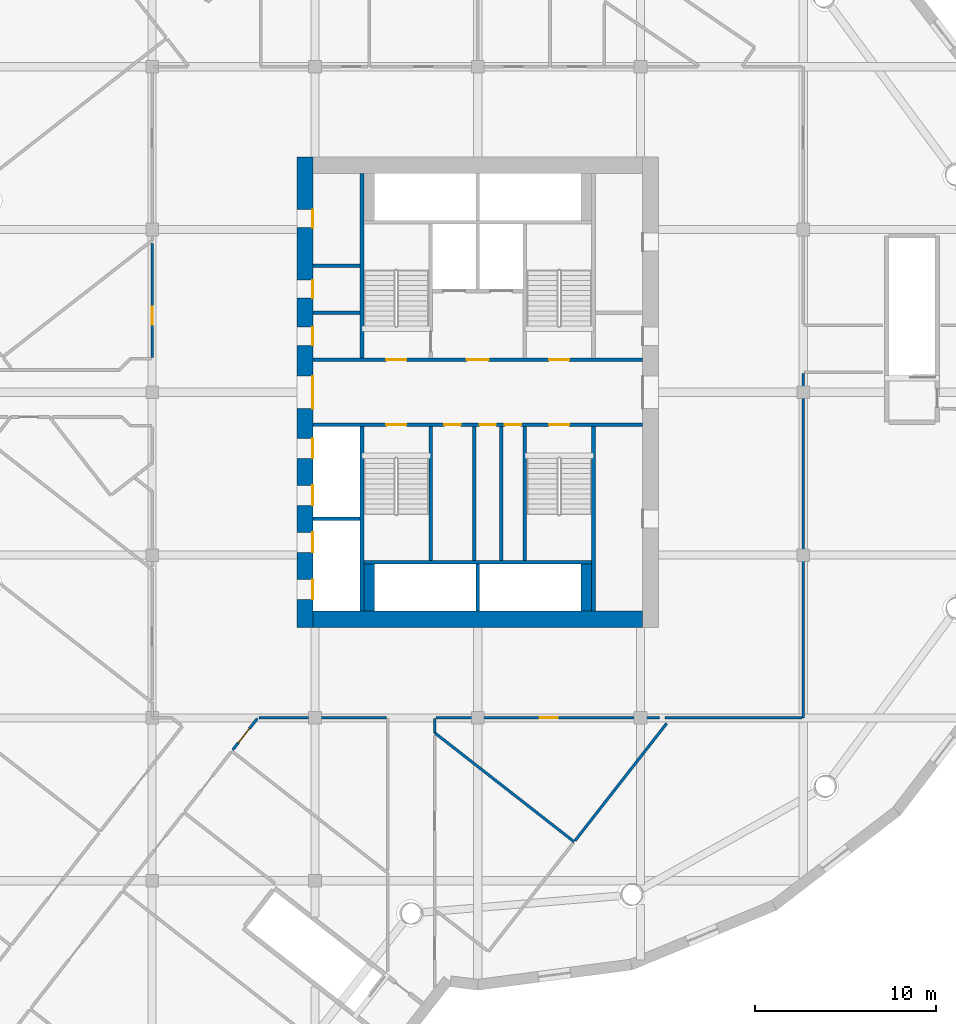
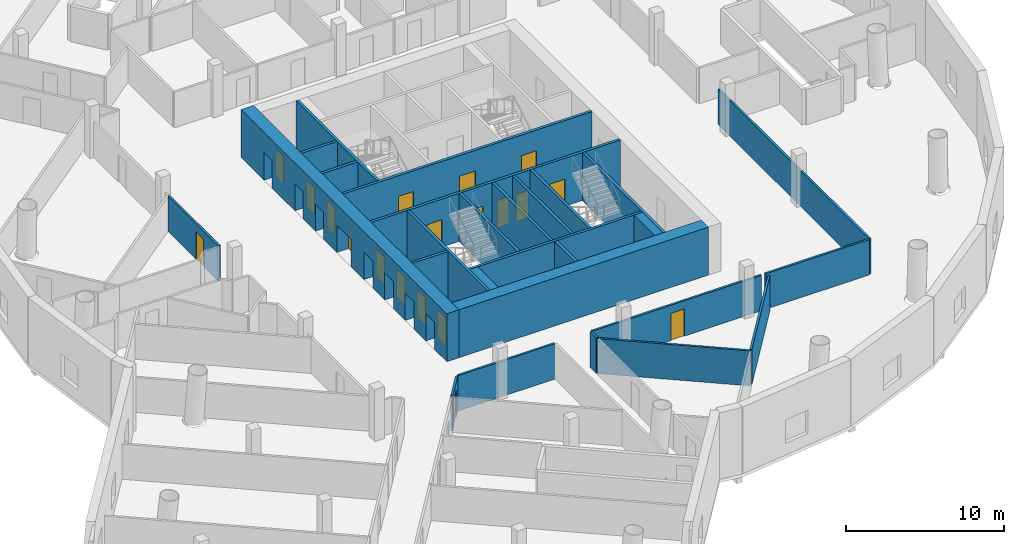
# One storey, part 7 of 15: 27 walls, 19 doors, 19 openings.
"""IFC4 building model written with IfcOpenShell, lengths in metres."""

import ifcopenshell
import ifcopenshell.guid

model = None  # the IFC model being written
_history = None  # IfcOwnerHistory: only IFC2X3 demands one
_inside = {}  # id of a spatial element -> (the spatial element, [elements in it])
_under = {}  # id of a project, library or spatial element -> (it, [spatial elements below it])
_declared = {}  # id of a project -> (the project, [libraries it declares])
_typed = {}  # id of a type object -> (the type object, [elements of that type])
_made_of = {}  # id of a material, layer set ... -> (it, [elements and type objects made of it])


def new_model(schema):
    """Start an empty IFC model of exactly this schema.

    Asked for "IFC4X3", IfcOpenShell would pick the latest addendum, in which some entities
    have other attributes; the version numbers below select the first issue.
    IFC2X3 requires an IfcOwnerHistory on every rooted entity: one is made here for all.
    """
    global model, _history
    if schema == "IFC4X3":
        model = ifcopenshell.file(schema_version=(4, 3, 0, 0))
    else:
        model = ifcopenshell.file(schema=schema)
    _inside.clear()
    _under.clear()
    _declared.clear()
    _typed.clear()
    _made_of.clear()
    _history = None
    if model.schema == "IFC2X3":
        org = make("IfcOrganization", Name="unknown")
        user = make(
            "IfcPersonAndOrganization",
            ThePerson=make("IfcPerson", FamilyName="unknown"),
            TheOrganization=org,
        )
        app = make(
            "IfcApplication",
            ApplicationDeveloper=org,
            Version="unknown",
            ApplicationFullName="unknown",
            ApplicationIdentifier="unknown",
        )
        _history = make(
            "IfcOwnerHistory",
            OwningUser=user,
            OwningApplication=app,
            ChangeAction="ADDED",
            CreationDate=0,
        )
    return model


def make(cls, **values):
    """One entity of the class cls with the attributes given. An attribute that is None is left unset."""
    return model.create_entity(
        cls, **{name: value for name, value in values.items() if value is not None}
    )


def rooted(cls, **values):
    """An entity with a GlobalId (a new one), such as an element, a storey or a relation."""
    return make(cls, GlobalId=ifcopenshell.guid.new(), OwnerHistory=_history, **values)


def si_unit(unit_type, name, prefix=None):
    """IfcSIUnit, for example si_unit("LENGTHUNIT", "METRE", prefix="MILLI")."""
    return make("IfcSIUnit", UnitType=unit_type, Prefix=prefix, Name=name)


def assignment(units):
    """IfcUnitAssignment: the units of a project."""
    return None if units is None else make("IfcUnitAssignment", Units=units)


def point(xyz):
    """IfcCartesianPoint."""
    return None if xyz is None else make("IfcCartesianPoint", Coordinates=xyz)


def direction(xyz):
    """IfcDirection."""
    return None if xyz is None else make("IfcDirection", DirectionRatios=xyz)


def frame(location, z_axis=None, x_axis=None):
    """IfcAxis2Placement3D, a coordinate frame: its origin and axes. An axis left out is left unset."""
    return make(
        "IfcAxis2Placement3D",
        Location=point(location),
        Axis=direction(z_axis),
        RefDirection=direction(x_axis),
    )


def frame_2d(location, x_axis=None):
    """IfcAxis2Placement2D, a coordinate frame in the plane: its origin and x axis."""
    return make(
        "IfcAxis2Placement2D", Location=point(location), RefDirection=direction(x_axis)
    )


def origin():
    """The frame at (0, 0, 0) with its axes left unset."""
    return frame((0.0, 0.0, 0.0))


def place(relative_to, where):
    """IfcLocalPlacement: puts the frame where relative to a parent placement (None: the world)."""
    return make(
        "IfcLocalPlacement", PlacementRelTo=relative_to, RelativePlacement=where
    )


def context(
    kind, dimensions, precision=None, world=None, true_north=None, identifier=None
):
    """IfcGeometricRepresentationContext, for example the 3D "Model" context."""
    return make(
        "IfcGeometricRepresentationContext",
        ContextIdentifier=identifier,
        ContextType=kind,
        CoordinateSpaceDimension=dimensions,
        Precision=precision,
        WorldCoordinateSystem=world,
        TrueNorth=true_north,
    )


def subcontext(parent, identifier, kind, view, scale=None):
    """IfcGeometricRepresentationSubContext, for example "Body" below "Model"."""
    return make(
        "IfcGeometricRepresentationSubContext",
        ContextIdentifier=identifier,
        ContextType=kind,
        ParentContext=parent,
        TargetScale=scale,
        TargetView=view,
    )


def project(units=None, contexts=None):
    """IfcProject with its units and contexts."""
    return rooted(
        "IfcProject",
        Name="project",
        RepresentationContexts=contexts,
        UnitsInContext=assignment(units),
    )


def spatial(cls, under=None, at=None, **own):
    """A site, building, storey or space (cls), placed at a placement, below another one or the project."""
    s = rooted(cls, ObjectPlacement=at, **own)
    if under is not None:
        _under.setdefault(under.id(), (under, []))[1].append(s)
    return s


def profile(cls, at=None, kind="AREA", **sizes):
    """A parametric profile (cls). Its sizes go by their IFC names, for example OverallWidth=200.0."""
    return make(cls, ProfileType=kind, Position=at, **sizes)


def rectangle(**sizes):
    """IfcRectangleProfileDef."""
    return profile("IfcRectangleProfileDef", **sizes)


def extrude(swept, where, along, depth):
    """IfcExtrudedAreaSolid: the profile swept, set in the frame where, extruded along a direction by depth."""
    return make(
        "IfcExtrudedAreaSolid",
        SweptArea=swept,
        Position=where,
        ExtrudedDirection=direction(along),
        Depth=depth,
    )


def shape(context_of_items, identifier, shape_type, items):
    """IfcShapeRepresentation: the items that make up one representation, for example the "Body"."""
    return make(
        "IfcShapeRepresentation",
        ContextOfItems=context_of_items,
        RepresentationIdentifier=identifier,
        RepresentationType=shape_type,
        Items=items,
    )


def material(Name=None, Category=None):
    """IfcMaterial."""
    return make("IfcMaterial", Name=Name, Category=Category)


def layer(
    of_material, thickness, ventilated=None, Name=None, Category=None, Priority=None
):
    """IfcMaterialLayer: one layer of a wall or slab, of a material (None: an air gap)."""
    return make(
        "IfcMaterialLayer",
        Material=of_material,
        LayerThickness=thickness,
        IsVentilated=ventilated,
        Name=Name,
        Category=Category,
        Priority=Priority,
    )


def layer_set(layers, Name=None):
    """IfcMaterialLayerSet."""
    return make("IfcMaterialLayerSet", MaterialLayers=layers, LayerSetName=Name)


def made_of(thing, what):
    """Note that an element or type object is made of a material, layer set ...; save() writes the relation."""
    if what is not None:
        _made_of.setdefault(what.id(), (what, []))[1].append(thing)
    return thing


def type_object(cls, material=None, **own):
    """A type object (cls), such as IfcWallType, which elements share."""
    return made_of(rooted(cls, **own), material)


def element(
    cls,
    number,
    at=None,
    inside=None,
    cuts=None,
    type_object=None,
    material=None,
    context=None,
    identifier="Body",
    shape_type=None,
    held_by="IfcProductDefinitionShape",
    body=None,
    shapes=None,
    **own,
):
    """One element of the class cls, such as IfcWall. Its Tag is "e" and its number.

    at: its placement. inside: the storey or other place that contains it. cuts: it is an
    opening in that element (IfcRelVoidsElement). A single representation is given by context,
    identifier, shape_type and body (its items); several are given by shapes. held_by: the class
    of the entity that holds the representations. save() writes the other relations.
    """
    e = rooted(cls, Tag="e%d" % number, ObjectPlacement=at, **own)
    if body is not None:
        shapes = [shape(context, identifier, shape_type, body)]
    if shapes is not None:
        e.Representation = make(held_by, Representations=shapes)
    if inside is not None:
        _inside.setdefault(inside.id(), (inside, []))[1].append(e)
    if cuts is not None:
        rooted(
            "IfcRelVoidsElement", RelatingBuildingElement=cuts, RelatedOpeningElement=e
        )
    if type_object is not None:
        _typed.setdefault(type_object.id(), (type_object, []))[1].append(e)
    return made_of(e, material)


def fill(opening, filler):
    """IfcRelFillsElement: the door or window that sits in an opening."""
    return rooted(
        "IfcRelFillsElement",
        RelatingOpeningElement=opening,
        RelatedBuildingElement=filler,
    )


def aggregate(whole, parts):
    """IfcRelAggregates: a whole, such as a stair, and the parts it consists of."""
    return rooted("IfcRelAggregates", RelatingObject=whole, RelatedObjects=parts)


def save(model, path):
    """Write the relations noted so far, then the file.

    IfcRelAggregates (storeys below a building ...), IfcRelContainedInSpatialStructure (elements
    in a storey), IfcRelDefinesByType, IfcRelAssociatesMaterial and IfcRelDeclares: one each for
    every whole, place, type object, material and project.
    """
    for whole, parts in _under.values():
        aggregate(whole, parts)
    for where, things in _inside.values():
        rooted(
            "IfcRelContainedInSpatialStructure",
            RelatedElements=things,
            RelatingStructure=where,
        )
    for kind, things in _typed.values():
        rooted("IfcRelDefinesByType", RelatedObjects=things, RelatingType=kind)
    for what, things in _made_of.values():
        rooted("IfcRelAssociatesMaterial", RelatedObjects=things, RelatingMaterial=what)
    for by, libraries in _declared.values():
        rooted("IfcRelDeclares", RelatingContext=by, RelatedDefinitions=libraries)
    model.write(path)


model = new_model("IFC4")

# Units and contexts
model_context = context("Model", 3, precision=1e-05, world=origin(), true_north=direction((0.0, 1.0)))
body_context = subcontext(model_context, "Body", "Model", "MODEL_VIEW")
ifc_project = project(units=[si_unit("LENGTHUNIT", "METRE"), si_unit("AREAUNIT", "SQUARE_METRE"), si_unit("VOLUMEUNIT", "CUBIC_METRE"), si_unit("PLANEANGLEUNIT", "RADIAN"), si_unit("MASSUNIT", "GRAM", prefix="KILO")], contexts=[model_context])

# Site, building, storey
site_placement = place(None, origin())
site = spatial("IfcSite", under=ifc_project, at=site_placement, CompositionType="ELEMENT")
building_placement = place(site_placement, origin())
building = spatial("IfcBuilding", under=site, at=building_placement, Name="Tarsis Ring Headquarters", CompositionType="ELEMENT")
storey_placement = place(building_placement, frame((0.0, 0.0, 30.0)))
storey = spatial("IfcBuildingStorey", under=building, at=storey_placement, Name="L05", CompositionType="ELEMENT", Elevation=30.0)

# Walls
ifc_material_1 = material(Name="Blockwork", Category="masonry")
ifc_layer_1 = layer(ifc_material_1, 0.199951171875)
ifc_layer_set_1 = layer_set([ifc_layer_1], Name="Core blockwork wall 200")
wall_type_1 = type_object("IfcWallType", Name="Core blockwork wall 200", PredefinedType="PARTITIONING", material=ifc_layer_set_1)
for number, where, z_axis, x_axis, name in (
    (1, (-9.10009765625, 4.39990234375, 0.0), (0.0, 0.0, 1.0), (1.0, 0.0, 0.0), "Core partition WD5"),
    (2, (-9.10009765625, 7.0, 0.0), (0.0, 0.0, 1.0), (1.0, 0.0, 0.0), "Core partition WD6"),
):
    element("IfcWall", number, at=place(storey_placement, frame(where, z_axis=z_axis, x_axis=x_axis)), inside=storey, type_object=wall_type_1, Name=name, PredefinedType="PARTITIONING", context=body_context, shape_type="SweptSolid", body=[
        extrude(rectangle(XDim=2.60009765625, YDim=0.199951171875, at=frame_2d((1.300048828125, 0.0))), origin(), (0.0, 0.0, 1.0), 3.699951171875),
    ])
for number, where, z_axis, x_axis, name in (
    (3, (-0.199951171875, -9.300048828125, 0.0), (0.0, 0.0, 1.0), (0.0, 1.0, 0.0), "Core partition SV1"),
    (4, (1.300048828125, -9.300048828125, 0.0), (0.0, 0.0, 1.0), (0.0, 1.0, 0.0), "Core partition SV2"),
):
    element("IfcWall", number, at=place(storey_placement, frame(where, z_axis=z_axis, x_axis=x_axis)), inside=storey, type_object=wall_type_1, Name=name, PredefinedType="PARTITIONING", context=body_context, shape_type="SweptSolid", body=[
        extrude(rectangle(XDim=7.400146484375, YDim=0.199951171875, at=frame_2d((3.7001953125, 0.0))), origin(), (0.0, 0.0, 1.0), 3.699951171875),
    ])

# Wall, openings, doors
ifc_material_2 = material(Name="Concrete C60/75", Category="concrete")
ifc_layer_2 = layer(ifc_material_2, 0.89990234375)
ifc_layer_set_2 = layer_set([ifc_layer_2], Name="Core wall 900 C60/75")
wall_type_2 = type_object("IfcWallType", Name="Core wall 900 C60/75", PredefinedType="SHEAR", material=ifc_layer_set_2)
wall_1_placement = place(storey_placement, frame((-9.550048828125, -13.0, 0.0), z_axis=(0.0, 0.0, 1.0), x_axis=(0.0, 1.0, 0.0)))
wall_1 = element("IfcWall", 5, at=wall_1_placement, inside=storey, type_object=wall_type_2, Name="Core wall OW", PredefinedType="SHEAR", context=body_context, shape_type="SweptSolid", body=[
    extrude(rectangle(XDim=26.0, YDim=0.89990234375, at=frame_2d((13.0, 0.0))), origin(), (0.0, 0.0, 1.0), 3.699951171875),
])
opening_1_placement = place(wall_1_placement, frame((1.550048828125, 0.0, 0.0)))
opening_1 = element("IfcOpeningElement", 6, at=opening_1_placement, cuts=wall_1, Name="Opening LD-LR1", PredefinedType="OPENING", context=body_context, shape_type="SweptSolid", body=[
    extrude(rectangle(XDim=1.10009765625, YDim=2.10009765625, at=frame_2d((0.550048828125, 1.050048828125))), frame((0.0, 0.4599609375, 0.0), z_axis=(0.0, -1.0, 0.0), x_axis=(1.0, 0.0, 0.0)), (0.0, 0.0, 1.0), 0.919921875),
])
opening_2_placement = place(wall_1_placement, frame((4.14990234375, 0.0, 0.0)))
opening_2 = element("IfcOpeningElement", 7, at=opening_2_placement, cuts=wall_1, Name="Opening LD-LR2", PredefinedType="OPENING", context=body_context, shape_type="SweptSolid", body=[
    extrude(rectangle(XDim=1.10009765625, YDim=2.10009765625, at=frame_2d((0.550048828125, 1.050048828125))), frame((0.0, 0.4599609375, 0.0), z_axis=(0.0, -1.0, 0.0), x_axis=(1.0, 0.0, 0.0)), (0.0, 0.0, 1.0), 0.919921875),
])
opening_3_placement = place(wall_1_placement, frame((6.75, 0.0, 0.0)))
opening_3 = element("IfcOpeningElement", 8, at=opening_3_placement, cuts=wall_1, Name="Opening LD-LR3", PredefinedType="OPENING", context=body_context, shape_type="SweptSolid", body=[
    extrude(rectangle(XDim=1.10009765625, YDim=2.10009765625, at=frame_2d((0.550048828125, 1.050048828125))), frame((0.0, 0.4599609375, 0.0), z_axis=(0.0, -1.0, 0.0), x_axis=(1.0, 0.0, 0.0)), (0.0, 0.0, 1.0), 0.919921875),
])
opening_4_placement = place(wall_1_placement, frame((9.35009765625, 0.0, 0.0)))
opening_4 = element("IfcOpeningElement", 9, at=opening_4_placement, cuts=wall_1, Name="Opening LD-LR4", PredefinedType="OPENING", context=body_context, shape_type="SweptSolid", body=[
    extrude(rectangle(XDim=1.10009765625, YDim=2.10009765625, at=frame_2d((0.550048828125, 1.050048828125))), frame((0.0, 0.4599609375, 0.0), z_axis=(0.0, -1.0, 0.0), x_axis=(1.0, 0.0, 0.0)), (0.0, 0.0, 1.0), 0.919921875),
])
opening_5_placement = place(wall_1_placement, frame((12.10009765625, 0.0, 0.0)))
opening_5 = element("IfcOpeningElement", 10, at=opening_5_placement, cuts=wall_1, Name="Opening L05-C05", PredefinedType="OPENING", context=body_context, shape_type="SweptSolid", body=[
    extrude(rectangle(XDim=1.800048828125, YDim=2.10009765625, at=frame_2d((0.89990234375, 1.050048828125))), frame((0.0, 0.4599609375, 0.0), z_axis=(0.0, -1.0, 0.0), x_axis=(1.0, 0.0, 0.0)), (0.0, 0.0, 1.0), 0.919921875),
])
opening_6_placement = place(wall_1_placement, frame((15.60009765625, 0.0, 0.0)))
opening_6 = element("IfcOpeningElement", 11, at=opening_6_placement, cuts=wall_1, Name="Opening L05-C06", PredefinedType="OPENING", context=body_context, shape_type="SweptSolid", body=[
    extrude(rectangle(XDim=1.0, YDim=2.10009765625, at=frame_2d((0.5, 1.050048828125))), frame((0.0, 0.4599609375, 0.0), z_axis=(0.0, -1.0, 0.0), x_axis=(1.0, 0.0, 0.0)), (0.0, 0.0, 1.0), 0.919921875),
])
opening_7_placement = place(wall_1_placement, frame((18.199951171875, 0.0, 0.0)))
opening_7 = element("IfcOpeningElement", 12, at=opening_7_placement, cuts=wall_1, Name="Opening L05-C07", PredefinedType="OPENING", context=body_context, shape_type="SweptSolid", body=[
    extrude(rectangle(XDim=1.0, YDim=2.10009765625, at=frame_2d((0.5, 1.050048828125))), frame((0.0, 0.4599609375, 0.0), z_axis=(0.0, -1.0, 0.0), x_axis=(1.0, 0.0, 0.0)), (0.0, 0.0, 1.0), 0.919921875),
])
opening_8_placement = place(wall_1_placement, frame((22.10009765625, 0.0, 0.0)))
opening_8 = element("IfcOpeningElement", 13, at=opening_8_placement, cuts=wall_1, Name="Opening L05-C08", PredefinedType="OPENING", context=body_context, shape_type="SweptSolid", body=[
    extrude(rectangle(XDim=1.0, YDim=2.10009765625, at=frame_2d((0.5, 1.050048828125))), frame((0.0, 0.4599609375, 0.0), z_axis=(0.0, -1.0, 0.0), x_axis=(1.0, 0.0, 0.0)), (0.0, 0.0, 1.0), 0.919921875),
])
ifc_material_3 = material(Name="Steel S355", Category="steel")
door_type_1 = type_object("IfcDoorType", Name="Core entry door 1800x2100", OperationType="DOUBLE_DOOR_SINGLE_SWING", PredefinedType="DOOR", material=ifc_material_3)
door_1_placement = place(opening_5_placement, origin())
door_1 = element("IfcDoor", 14, at=door_1_placement, inside=storey, type_object=door_type_1, Name="Core entry door L05", OperationType="DOUBLE_DOOR_SINGLE_SWING", OverallHeight=2.10009765625, OverallWidth=1.800048828125, PredefinedType="DOOR", context=body_context, shape_type="SweptSolid", body=[
    extrude(rectangle(XDim=1.800048828125, YDim=2.10009765625, at=frame_2d((0.89990234375, 1.050048828125))), frame((0.0, -0.39990234375, 0.0), z_axis=(0.0, -1.0, 0.0), x_axis=(1.0, 0.0, 0.0)), (0.0, 0.0, 1.0), 0.050048828125),
])
fill(opening_5, door_1)
door_type_2 = type_object("IfcDoorType", Name="Core room door 1000x2100", OperationType="SINGLE_SWING_LEFT", PredefinedType="DOOR", material=ifc_material_3)
door_2_placement = place(opening_6_placement, origin())
door_2 = element("IfcDoor", 15, at=door_2_placement, inside=storey, type_object=door_type_2, Name="Core room door L05", OperationType="SINGLE_SWING_LEFT", OverallHeight=2.10009765625, OverallWidth=1.0, PredefinedType="DOOR", context=body_context, shape_type="SweptSolid", body=[
    extrude(rectangle(XDim=1.0, YDim=2.10009765625, at=frame_2d((0.5, 1.050048828125))), frame((0.0, -0.39990234375, 0.0), z_axis=(0.0, -1.0, 0.0), x_axis=(1.0, 0.0, 0.0)), (0.0, 0.0, 1.0), 0.050048828125),
])
fill(opening_6, door_2)
door_3_placement = place(opening_7_placement, origin())
door_3 = element("IfcDoor", 16, at=door_3_placement, inside=storey, type_object=door_type_2, Name="Core room door L05", OperationType="SINGLE_SWING_LEFT", OverallHeight=2.10009765625, OverallWidth=1.0, PredefinedType="DOOR", context=body_context, shape_type="SweptSolid", body=[
    extrude(rectangle(XDim=1.0, YDim=2.10009765625, at=frame_2d((0.5, 1.050048828125))), frame((0.0, -0.39990234375, 0.0), z_axis=(0.0, -1.0, 0.0), x_axis=(1.0, 0.0, 0.0)), (0.0, 0.0, 1.0), 0.050048828125),
])
fill(opening_7, door_3)
door_4_placement = place(opening_8_placement, origin())
door_4 = element("IfcDoor", 17, at=door_4_placement, inside=storey, type_object=door_type_2, Name="Core room door L05", OperationType="SINGLE_SWING_LEFT", OverallHeight=2.10009765625, OverallWidth=1.0, PredefinedType="DOOR", context=body_context, shape_type="SweptSolid", body=[
    extrude(rectangle(XDim=1.0, YDim=2.10009765625, at=frame_2d((0.5, 1.050048828125))), frame((0.0, -0.39990234375, 0.0), z_axis=(0.0, -1.0, 0.0), x_axis=(1.0, 0.0, 0.0)), (0.0, 0.0, 1.0), 0.050048828125),
])
fill(opening_8, door_4)
door_type_3 = type_object("IfcDoorType", Name="Landing door 1100x2100", OperationType="SLIDING_TO_LEFT", PredefinedType="DOOR", material=ifc_material_3)
door_5_placement = place(opening_1_placement, origin())
door_5 = element("IfcDoor", 18, at=door_5_placement, inside=storey, type_object=door_type_3, Name="Landing door LR1 L05", OperationType="SLIDING_TO_LEFT", OverallHeight=2.10009765625, OverallWidth=1.10009765625, PredefinedType="DOOR", context=body_context, shape_type="SweptSolid", body=[
    extrude(rectangle(XDim=1.10009765625, YDim=2.10009765625, at=frame_2d((0.550048828125, 1.050048828125))), frame((0.0, -0.39990234375, 0.0), z_axis=(0.0, -1.0, 0.0), x_axis=(1.0, 0.0, 0.0)), (0.0, 0.0, 1.0), 0.050048828125),
])
fill(opening_1, door_5)
door_6_placement = place(opening_2_placement, origin())
door_6 = element("IfcDoor", 19, at=door_6_placement, inside=storey, type_object=door_type_3, Name="Landing door LR2 L05", OperationType="SLIDING_TO_LEFT", OverallHeight=2.10009765625, OverallWidth=1.10009765625, PredefinedType="DOOR", context=body_context, shape_type="SweptSolid", body=[
    extrude(rectangle(XDim=1.10009765625, YDim=2.10009765625, at=frame_2d((0.550048828125, 1.050048828125))), frame((0.0, -0.39990234375, 0.0), z_axis=(0.0, -1.0, 0.0), x_axis=(1.0, 0.0, 0.0)), (0.0, 0.0, 1.0), 0.050048828125),
])
fill(opening_2, door_6)
door_7_placement = place(opening_3_placement, origin())
door_7 = element("IfcDoor", 20, at=door_7_placement, inside=storey, type_object=door_type_3, Name="Landing door LR3 L05", OperationType="SLIDING_TO_LEFT", OverallHeight=2.10009765625, OverallWidth=1.10009765625, PredefinedType="DOOR", context=body_context, shape_type="SweptSolid", body=[
    extrude(rectangle(XDim=1.10009765625, YDim=2.10009765625, at=frame_2d((0.550048828125, 1.050048828125))), frame((0.0, -0.39990234375, 0.0), z_axis=(0.0, -1.0, 0.0), x_axis=(1.0, 0.0, 0.0)), (0.0, 0.0, 1.0), 0.050048828125),
])
fill(opening_3, door_7)
door_8_placement = place(opening_4_placement, origin())
door_8 = element("IfcDoor", 21, at=door_8_placement, inside=storey, type_object=door_type_3, Name="Landing door LR4 L05", OperationType="SLIDING_TO_LEFT", OverallHeight=2.10009765625, OverallWidth=1.10009765625, PredefinedType="DOOR", context=body_context, shape_type="SweptSolid", body=[
    extrude(rectangle(XDim=1.10009765625, YDim=2.10009765625, at=frame_2d((0.550048828125, 1.050048828125))), frame((0.0, -0.39990234375, 0.0), z_axis=(0.0, -1.0, 0.0), x_axis=(1.0, 0.0, 0.0)), (0.0, 0.0, 1.0), 0.050048828125),
])
fill(opening_4, door_8)

# Walls
wall_2_placement = place(storey_placement, frame((-9.10009765625, -12.550048828125, 0.0), z_axis=(0.0, 0.0, 1.0), x_axis=(1.0, 0.0, 0.0)))
element("IfcWall", 22, at=wall_2_placement, inside=storey, type_object=wall_type_2, Name="Core wall OS", PredefinedType="SHEAR", context=body_context, shape_type="SweptSolid", body=[
    extrude(rectangle(XDim=18.2001953125, YDim=0.89990234375, at=frame_2d((9.10009765625, 0.0))), origin(), (0.0, 0.0, 1.0), 3.699951171875),
])
ifc_material_4 = material(Name="Plasterboard partition")
ifc_layer_3 = layer(ifc_material_4, 0.14990234375)
ifc_layer_set_3 = layer_set([ifc_layer_3], Name="PO-PW150")
wall_type_3 = type_object("IfcWallType", Name="PO-PW150", PredefinedType="PARTITIONING", material=ifc_layer_set_3)
wall_3_placement = place(storey_placement, frame((-2.3798828125, -18.82568359375, 0.0), z_axis=(0.0, 0.0, 1.0), x_axis=(0.788014916914, -0.615656146498, 0.0)))
element("IfcWall", 23, at=wall_3_placement, inside=storey, type_object=wall_type_3, Name="L05 partition wall 33", PredefinedType="PARTITIONING", context=body_context, shape_type="SweptSolid", body=[
    extrude(rectangle(XDim=9.784912109375, YDim=0.14990234375, at=frame_2d((4.892578125, 0.0))), origin(), (0.0, 0.0, 1.0), 2.699951171875),
])
wall_4_placement = place(storey_placement, frame((10.441650390625, -18.31005859375, 0.0), z_axis=(0.0, 0.0, 1.0), x_axis=(-0.615660179856, -0.788011765736, 0.0)))
element("IfcWall", 24, at=wall_4_placement, inside=storey, type_object=wall_type_3, Name="L05 partition wall 42", PredefinedType="PARTITIONING", context=body_context, shape_type="SweptSolid", body=[
    extrude(rectangle(XDim=8.22021484375, YDim=0.14990234375, at=frame_2d((4.110107421875, 0.0))), origin(), (0.0, 0.0, 1.0), 2.699951171875),
])
ifc_layer_4 = layer(ifc_material_4, 0.14990234375)
ifc_layer_set_4 = layer_set([ifc_layer_4], Name="PO-PW150R-2733")
wall_type_4 = type_object("IfcWallType", Name="PO-PW150R-2733", PredefinedType="PARTITIONING", material=ifc_layer_set_4)
wall_5_placement = place(storey_placement, frame((18.0, 1.050048828125, 0.0), z_axis=(0.0, 0.0, 1.0), x_axis=(0.0, -1.0, 0.0)))
element("IfcWall", 25, at=wall_5_placement, inside=storey, type_object=wall_type_4, Name="L05 partition wall 1", PredefinedType="PARTITIONING", context=body_context, shape_type="SweptSolid", body=[
    extrude(rectangle(XDim=19.050048828125, YDim=0.14990234375, at=frame_2d((9.52490234375, 0.0))), origin(), (0.0, 0.0, 1.0), 2.73291015625),
])

# Wall, opening, door
wall_6_placement = place(storey_placement, frame((10.044677734375, -18.0, 0.0), z_axis=(0.0, 0.0, 1.0), x_axis=(-1.0, 0.0, 0.0)))
wall_6 = element("IfcWall", 26, at=wall_6_placement, inside=storey, type_object=wall_type_4, Name="L05 partition wall 17", PredefinedType="PARTITIONING", context=body_context, shape_type="SweptSolid", body=[
    extrude(rectangle(XDim=12.364501953125, YDim=0.14990234375, at=frame_2d((6.18212890625, 0.0))), origin(), (0.0, 0.0, 1.0), 2.73291015625),
])
opening_9_placement = place(wall_6_placement, frame((5.6201171875, 0.0, 0.0)))
opening_9 = element("IfcOpeningElement", 27, at=opening_9_placement, cuts=wall_6, Name="Opening PO-D1", PredefinedType="OPENING", context=body_context, shape_type="SweptSolid", body=[
    extrude(rectangle(XDim=1.0, YDim=2.10009765625, at=frame_2d((0.5, 1.050048828125))), frame((0.0, 0.0849609375, 0.0), z_axis=(0.0, -1.0, 0.0), x_axis=(1.0, 0.0, 0.0)), (0.0, 0.0, 1.0), 0.169921875),
])
ifc_material_5 = material(Name="Timber door", Category="wood")
door_type_4 = type_object("IfcDoorType", Name="PO-D1000", OperationType="NOTDEFINED", PredefinedType="DOOR", material=ifc_material_5)
door_9_placement = place(opening_9_placement, origin())
door_9 = element("IfcDoor", 28, at=door_9_placement, inside=storey, type_object=door_type_4, Name="Men's prayer hall door", OperationType="SINGLE_SWING_LEFT", OverallHeight=2.10009765625, OverallWidth=1.0, PredefinedType="DOOR", context=body_context, shape_type="SweptSolid", body=[
    extrude(rectangle(XDim=1.0, YDim=2.10009765625, at=frame_2d((0.5, 1.050048828125))), frame((0.0, 0.02490234375, 0.0), z_axis=(0.0, -1.0, 0.0), x_axis=(1.0, 0.0, 0.0)), (0.0, 0.0, 1.0), 0.050048828125),
])
fill(opening_9, door_9)

# Walls
wall_7_placement = place(storey_placement, frame((17.919921875, -18.0, 0.0), z_axis=(0.0, 0.0, 1.0), x_axis=(-1.0, 0.0, 0.0)))
element("IfcWall", 29, at=wall_7_placement, inside=storey, type_object=wall_type_4, Name="L05 partition wall 49", PredefinedType="PARTITIONING", context=body_context, shape_type="SweptSolid", body=[
    extrude(rectangle(XDim=7.5634765625, YDim=0.14990234375, at=frame_2d((3.78173828125, 0.0))), origin(), (0.0, 0.0, 1.0), 2.73291015625),
])
wall_8_placement = place(storey_placement, frame((-5.039794921875, -18.0, 0.0), z_axis=(0.0, 0.0, 1.0), x_axis=(-1.0, 0.0, 0.0)))
element("IfcWall", 30, at=wall_8_placement, inside=storey, type_object=wall_type_4, Name="L05 partition wall 51", PredefinedType="PARTITIONING", context=body_context, shape_type="SweptSolid", body=[
    extrude(rectangle(XDim=7.059814453125, YDim=0.14990234375, at=frame_2d((3.52978515625, 0.0))), origin(), (0.0, 0.0, 1.0), 2.73291015625),
])

# Wall, opening, door
wall_9_placement = place(storey_placement, frame((-18.0, 1.909912109375, 0.0), z_axis=(0.0, 0.0, 1.0), x_axis=(0.0, 1.0, 0.0)))
wall_9 = element("IfcWall", 31, at=wall_9_placement, inside=storey, type_object=wall_type_4, Name="L05 partition wall 55", PredefinedType="PARTITIONING", context=body_context, shape_type="SweptSolid", body=[
    extrude(rectangle(XDim=6.32861328125, YDim=0.14990234375, at=frame_2d((3.164306640625, 0.0))), origin(), (0.0, 0.0, 1.0), 2.73291015625),
])
opening_10_placement = place(wall_9_placement, frame((1.82763671875, 0.0, 0.0)))
opening_10 = element("IfcOpeningElement", 32, at=opening_10_placement, cuts=wall_9, Name="Opening PO-D1", PredefinedType="OPENING", context=body_context, shape_type="SweptSolid", body=[
    extrude(rectangle(XDim=1.0, YDim=2.10009765625, at=frame_2d((0.5, 1.050048828125))), frame((0.0, 0.0849609375, 0.0), z_axis=(0.0, -1.0, 0.0), x_axis=(1.0, 0.0, 0.0)), (0.0, 0.0, 1.0), 0.169921875),
])
door_10_placement = place(opening_10_placement, origin())
door_10 = element("IfcDoor", 33, at=door_10_placement, inside=storey, type_object=door_type_4, Name="Board room door", OperationType="SINGLE_SWING_RIGHT", OverallHeight=2.10009765625, OverallWidth=1.0, PredefinedType="DOOR", context=body_context, shape_type="SweptSolid", body=[
    extrude(rectangle(XDim=1.0, YDim=2.10009765625, at=frame_2d((0.5, 1.050048828125))), frame((0.0, 0.02490234375, 0.0), z_axis=(0.0, -1.0, 0.0), x_axis=(1.0, 0.0, 0.0)), (0.0, 0.0, 1.0), 0.050048828125),
])
fill(opening_10, door_10)

wall_10_placement = place(storey_placement, frame((-12.19091796875, -18.0400390625, 0.0), z_axis=(0.0, 0.0, 1.0), x_axis=(-0.615676361466, -0.787999123053, 0.0)))
wall_10 = element("IfcWall", 34, at=wall_10_placement, inside=storey, type_object=wall_type_4, Name="L05 partition wall 132", PredefinedType="PARTITIONING", context=body_context, shape_type="SweptSolid", body=[
    extrude(rectangle(XDim=2.19873046875, YDim=0.14990234375, at=frame_2d((1.099365234375, 0.0))), origin(), (0.0, 0.0, 1.0), 2.73291015625),
])
opening_11_placement = place(wall_10_placement, frame((0.69921875, 0.0, 0.0)))
opening_11 = element("IfcOpeningElement", 35, at=opening_11_placement, cuts=wall_10, Name="Opening PO-D1", PredefinedType="OPENING", context=body_context, shape_type="SweptSolid", body=[
    extrude(rectangle(XDim=1.0, YDim=2.10009765625, at=frame_2d((0.5, 1.050048828125))), frame((0.0, 0.0849609375, 0.0), z_axis=(0.0, -1.0, 0.0), x_axis=(1.0, 0.0, 0.0)), (0.0, 0.0, 1.0), 0.169921875),
])
door_11_placement = place(opening_11_placement, origin())
door_11 = element("IfcDoor", 36, at=door_11_placement, inside=storey, type_object=door_type_4, Name="Women's prayer hall door", OperationType="SINGLE_SWING_RIGHT", OverallHeight=2.10009765625, OverallWidth=1.0, PredefinedType="DOOR", context=body_context, shape_type="SweptSolid", body=[
    extrude(rectangle(XDim=1.0, YDim=2.10009765625, at=frame_2d((0.5, 1.050048828125))), frame((0.0, 0.02490234375, 0.0), z_axis=(0.0, -1.0, 0.0), x_axis=(1.0, 0.0, 0.0)), (0.0, 0.0, 1.0), 0.050048828125),
])
fill(opening_11, door_11)

# Walls
wall_11_placement = place(storey_placement, frame((-2.3798828125, -18.0400390625, 0.0), z_axis=(0.0, 0.0, 1.0), x_axis=(0.0, -1.0, 0.0)))
element("IfcWall", 37, at=wall_11_placement, inside=storey, type_object=wall_type_4, Name="L05 partition wall 188", PredefinedType="PARTITIONING", context=body_context, shape_type="SweptSolid", body=[
    extrude(rectangle(XDim=0.78564453125, YDim=0.14990234375, at=frame_2d((0.392822265625, 0.0))), origin(), (0.0, 0.0, 1.0), 2.73291015625),
])
ifc_material_6 = material(Name="Concrete C32/40", Category="concrete")
ifc_layer_5 = layer(ifc_material_6, 0.60009765625)
ifc_layer_set_5 = layer_set([ifc_layer_5], Name="Shaft end wall 600 C32/40")
wall_type_5 = type_object("IfcWallType", Name="Shaft end wall 600 C32/40", PredefinedType="SOLIDWALL", material=ifc_layer_set_5)
for number, where, z_axis, x_axis, name in (
    (38, (-6.0, -12.10009765625, 0.0), (0.0, 0.0, 1.0), (0.0, 1.0, 0.0), "Core shaft wall SNE1"),
    (39, (6.0, -12.10009765625, 0.0), (0.0, 0.0, 1.0), (0.0, 1.0, 0.0), "Core shaft wall SNE2"),
):
    element("IfcWall", number, at=place(storey_placement, frame(where, z_axis=z_axis, x_axis=x_axis)), inside=storey, type_object=wall_type_5, Name=name, PredefinedType="SOLIDWALL", context=body_context, shape_type="SweptSolid", body=[
        extrude(rectangle(XDim=2.60009765625, YDim=0.60009765625, at=frame_2d((1.300048828125, 0.0))), origin(), (0.0, 0.0, 1.0), 3.699951171875),
    ])

# Wall, openings, doors
ifc_layer_6 = layer(ifc_material_6, 0.199951171875)
ifc_layer_set_6 = layer_set([ifc_layer_6], Name="Shaft wall 200 C32/40")
wall_type_6 = type_object("IfcWallType", Name="Shaft wall 200 C32/40", PredefinedType="SOLIDWALL", material=ifc_layer_set_6)
wall_12_placement = place(storey_placement, frame((-9.10009765625, 1.800048828125, 0.0), z_axis=(0.0, 0.0, 1.0), x_axis=(1.0, 0.0, 0.0)))
wall_12 = element("IfcWall", 40, at=wall_12_placement, inside=storey, type_object=wall_type_6, Name="Core shaft wall CN", PredefinedType="SOLIDWALL", context=body_context, shape_type="SweptSolid", body=[
    extrude(rectangle(XDim=18.2001953125, YDim=0.199951171875, at=frame_2d((9.10009765625, 0.0))), origin(), (0.0, 0.0, 1.0), 3.699951171875),
])
opening_12_placement = place(wall_12_placement, frame((4.050048828125, 0.0, 0.0)))
opening_12 = element("IfcOpeningElement", 41, at=opening_12_placement, cuts=wall_12, Name="Opening L05-C13", PredefinedType="OPENING", context=body_context, shape_type="SweptSolid", body=[
    extrude(rectangle(XDim=1.10009765625, YDim=2.10009765625, at=frame_2d((0.550048828125, 1.050048828125))), frame((0.0, 0.10986328125, 0.0), z_axis=(0.0, -1.0, 0.0), x_axis=(1.0, 0.0, 0.0)), (0.0, 0.0, 1.0), 0.219970703125),
])
opening_13_placement = place(wall_12_placement, frame((8.5, 0.0, 0.0)))
opening_13 = element("IfcOpeningElement", 42, at=opening_13_placement, cuts=wall_12, Name="Opening L05-C14", PredefinedType="OPENING", context=body_context, shape_type="SweptSolid", body=[
    extrude(rectangle(XDim=1.199951171875, YDim=2.10009765625, at=frame_2d((0.60009765625, 1.050048828125))), frame((0.0, 0.10986328125, 0.0), z_axis=(0.0, -1.0, 0.0), x_axis=(1.0, 0.0, 0.0)), (0.0, 0.0, 1.0), 0.219970703125),
])
opening_14_placement = place(wall_12_placement, frame((13.050048828125, 0.0, 0.0)))
opening_14 = element("IfcOpeningElement", 43, at=opening_14_placement, cuts=wall_12, Name="Opening L05-C15", PredefinedType="OPENING", context=body_context, shape_type="SweptSolid", body=[
    extrude(rectangle(XDim=1.10009765625, YDim=2.10009765625, at=frame_2d((0.550048828125, 1.050048828125))), frame((0.0, 0.10986328125, 0.0), z_axis=(0.0, -1.0, 0.0), x_axis=(1.0, 0.0, 0.0)), (0.0, 0.0, 1.0), 0.219970703125),
])
door_type_5 = type_object("IfcDoorType", Name="Firefighting lobby door 1200x2100", OperationType="DOUBLE_DOOR_SINGLE_SWING", PredefinedType="DOOR", material=ifc_material_3)
door_12_placement = place(opening_13_placement, origin())
door_12 = element("IfcDoor", 44, at=door_12_placement, inside=storey, type_object=door_type_5, Name="Firefighting lobby door L05", OperationType="DOUBLE_DOOR_SINGLE_SWING", OverallHeight=2.10009765625, OverallWidth=1.199951171875, PredefinedType="DOOR", context=body_context, shape_type="SweptSolid", body=[
    extrude(rectangle(XDim=1.199951171875, YDim=2.10009765625, at=frame_2d((0.60009765625, 1.050048828125))), frame((0.0, 0.02490234375, 0.0), z_axis=(0.0, -1.0, 0.0), x_axis=(1.0, 0.0, 0.0)), (0.0, 0.0, 1.0), 0.050048828125),
])
fill(opening_13, door_12)
door_type_6 = type_object("IfcDoorType", Name="Stair door 1100x2100", OperationType="SINGLE_SWING_LEFT", PredefinedType="DOOR", material=ifc_material_3)
door_13_placement = place(opening_12_placement, origin())
door_13 = element("IfcDoor", 45, at=door_13_placement, inside=storey, type_object=door_type_6, Name="Stair door L05", OperationType="SINGLE_SWING_LEFT", OverallHeight=2.10009765625, OverallWidth=1.10009765625, PredefinedType="DOOR", context=body_context, shape_type="SweptSolid", body=[
    extrude(rectangle(XDim=1.10009765625, YDim=2.10009765625, at=frame_2d((0.550048828125, 1.050048828125))), frame((0.0, 0.02490234375, 0.0), z_axis=(0.0, -1.0, 0.0), x_axis=(1.0, 0.0, 0.0)), (0.0, 0.0, 1.0), 0.050048828125),
])
fill(opening_12, door_13)
door_14_placement = place(opening_14_placement, origin())
door_14 = element("IfcDoor", 46, at=door_14_placement, inside=storey, type_object=door_type_6, Name="Stair door L05", OperationType="SINGLE_SWING_LEFT", OverallHeight=2.10009765625, OverallWidth=1.10009765625, PredefinedType="DOOR", context=body_context, shape_type="SweptSolid", body=[
    extrude(rectangle(XDim=1.10009765625, YDim=2.10009765625, at=frame_2d((0.550048828125, 1.050048828125))), frame((0.0, 0.02490234375, 0.0), z_axis=(0.0, -1.0, 0.0), x_axis=(1.0, 0.0, 0.0)), (0.0, 0.0, 1.0), 0.050048828125),
])
fill(opening_14, door_14)

wall_13_placement = place(storey_placement, frame((-9.10009765625, -1.800048828125, 0.0), z_axis=(0.0, 0.0, 1.0), x_axis=(1.0, 0.0, 0.0)))
wall_13 = element("IfcWall", 47, at=wall_13_placement, inside=storey, type_object=wall_type_6, Name="Core shaft wall CS", PredefinedType="SOLIDWALL", context=body_context, shape_type="SweptSolid", body=[
    extrude(rectangle(XDim=18.2001953125, YDim=0.199951171875, at=frame_2d((9.10009765625, 0.0))), origin(), (0.0, 0.0, 1.0), 3.699951171875),
])
opening_15_placement = place(wall_13_placement, frame((4.050048828125, 0.0, 0.0)))
opening_15 = element("IfcOpeningElement", 48, at=opening_15_placement, cuts=wall_13, Name="Opening L05-C16", PredefinedType="OPENING", context=body_context, shape_type="SweptSolid", body=[
    extrude(rectangle(XDim=1.10009765625, YDim=2.10009765625, at=frame_2d((0.550048828125, 1.050048828125))), frame((0.0, 0.10986328125, 0.0), z_axis=(0.0, -1.0, 0.0), x_axis=(1.0, 0.0, 0.0)), (0.0, 0.0, 1.0), 0.219970703125),
])
opening_16_placement = place(wall_13_placement, frame((7.25, 0.0, 0.0)))
opening_16 = element("IfcOpeningElement", 49, at=opening_16_placement, cuts=wall_13, Name="Opening L05-C17", PredefinedType="OPENING", context=body_context, shape_type="SweptSolid", body=[
    extrude(rectangle(XDim=0.89990234375, YDim=2.10009765625, at=frame_2d((0.449951171875, 1.050048828125))), frame((0.0, 0.10986328125, 0.0), z_axis=(0.0, -1.0, 0.0), x_axis=(1.0, 0.0, 0.0)), (0.0, 0.0, 1.0), 0.219970703125),
])
opening_17_placement = place(wall_13_placement, frame((9.199951171875, 0.0, 0.0)))
opening_17 = element("IfcOpeningElement", 50, at=opening_17_placement, cuts=wall_13, Name="Opening L05-C18", PredefinedType="OPENING", context=body_context, shape_type="SweptSolid", body=[
    extrude(rectangle(XDim=0.89990234375, YDim=2.10009765625, at=frame_2d((0.449951171875, 1.050048828125))), frame((0.0, 0.10986328125, 0.0), z_axis=(0.0, -1.0, 0.0), x_axis=(1.0, 0.0, 0.0)), (0.0, 0.0, 1.0), 0.219970703125),
])
opening_18_placement = place(wall_13_placement, frame((10.60009765625, 0.0, 0.0)))
opening_18 = element("IfcOpeningElement", 51, at=opening_18_placement, cuts=wall_13, Name="Opening L05-C19", PredefinedType="OPENING", context=body_context, shape_type="SweptSolid", body=[
    extrude(rectangle(XDim=0.89990234375, YDim=2.10009765625, at=frame_2d((0.449951171875, 1.050048828125))), frame((0.0, 0.10986328125, 0.0), z_axis=(0.0, -1.0, 0.0), x_axis=(1.0, 0.0, 0.0)), (0.0, 0.0, 1.0), 0.219970703125),
])
opening_19_placement = place(wall_13_placement, frame((13.050048828125, 0.0, 0.0)))
opening_19 = element("IfcOpeningElement", 52, at=opening_19_placement, cuts=wall_13, Name="Opening L05-C20", PredefinedType="OPENING", context=body_context, shape_type="SweptSolid", body=[
    extrude(rectangle(XDim=1.10009765625, YDim=2.10009765625, at=frame_2d((0.550048828125, 1.050048828125))), frame((0.0, 0.10986328125, 0.0), z_axis=(0.0, -1.0, 0.0), x_axis=(1.0, 0.0, 0.0)), (0.0, 0.0, 1.0), 0.219970703125),
])
door_15_placement = place(opening_15_placement, origin())
door_15 = element("IfcDoor", 53, at=door_15_placement, inside=storey, type_object=door_type_6, Name="Stair door L05", OperationType="SINGLE_SWING_LEFT", OverallHeight=2.10009765625, OverallWidth=1.10009765625, PredefinedType="DOOR", context=body_context, shape_type="SweptSolid", body=[
    extrude(rectangle(XDim=1.10009765625, YDim=2.10009765625, at=frame_2d((0.550048828125, 1.050048828125))), frame((0.0, 0.02490234375, 0.0), z_axis=(0.0, -1.0, 0.0), x_axis=(1.0, 0.0, 0.0)), (0.0, 0.0, 1.0), 0.050048828125),
])
fill(opening_15, door_15)
door_16_placement = place(opening_19_placement, origin())
door_16 = element("IfcDoor", 54, at=door_16_placement, inside=storey, type_object=door_type_6, Name="Stair door L05", OperationType="SINGLE_SWING_LEFT", OverallHeight=2.10009765625, OverallWidth=1.10009765625, PredefinedType="DOOR", context=body_context, shape_type="SweptSolid", body=[
    extrude(rectangle(XDim=1.10009765625, YDim=2.10009765625, at=frame_2d((0.550048828125, 1.050048828125))), frame((0.0, 0.02490234375, 0.0), z_axis=(0.0, -1.0, 0.0), x_axis=(1.0, 0.0, 0.0)), (0.0, 0.0, 1.0), 0.050048828125),
])
fill(opening_19, door_16)
door_type_7 = type_object("IfcDoorType", Name="WC door 900x2100", OperationType="SINGLE_SWING_LEFT", PredefinedType="DOOR", material=ifc_material_3)
door_17_placement = place(opening_16_placement, origin())
door_17 = element("IfcDoor", 55, at=door_17_placement, inside=storey, type_object=door_type_7, Name="WC door L05", OperationType="SINGLE_SWING_LEFT", OverallHeight=2.10009765625, OverallWidth=0.89990234375, PredefinedType="DOOR", context=body_context, shape_type="SweptSolid", body=[
    extrude(rectangle(XDim=0.89990234375, YDim=2.10009765625, at=frame_2d((0.449951171875, 1.050048828125))), frame((0.0, 0.02490234375, 0.0), z_axis=(0.0, -1.0, 0.0), x_axis=(1.0, 0.0, 0.0)), (0.0, 0.0, 1.0), 0.050048828125),
])
fill(opening_16, door_17)
door_18_placement = place(opening_17_placement, origin())
door_18 = element("IfcDoor", 56, at=door_18_placement, inside=storey, type_object=door_type_7, Name="WC door L05", OperationType="SINGLE_SWING_LEFT", OverallHeight=2.10009765625, OverallWidth=0.89990234375, PredefinedType="DOOR", context=body_context, shape_type="SweptSolid", body=[
    extrude(rectangle(XDim=0.89990234375, YDim=2.10009765625, at=frame_2d((0.449951171875, 1.050048828125))), frame((0.0, 0.02490234375, 0.0), z_axis=(0.0, -1.0, 0.0), x_axis=(1.0, 0.0, 0.0)), (0.0, 0.0, 1.0), 0.050048828125),
])
fill(opening_17, door_18)
door_19_placement = place(opening_18_placement, origin())
door_19 = element("IfcDoor", 57, at=door_19_placement, inside=storey, type_object=door_type_7, Name="WC door L05", OperationType="SINGLE_SWING_LEFT", OverallHeight=2.10009765625, OverallWidth=0.89990234375, PredefinedType="DOOR", context=body_context, shape_type="SweptSolid", body=[
    extrude(rectangle(XDim=0.89990234375, YDim=2.10009765625, at=frame_2d((0.449951171875, 1.050048828125))), frame((0.0, 0.02490234375, 0.0), z_axis=(0.0, -1.0, 0.0), x_axis=(1.0, 0.0, 0.0)), (0.0, 0.0, 1.0), 0.050048828125),
])
fill(opening_18, door_19)

# Walls
for number, where, z_axis, x_axis, name in (
    (58, (-6.39990234375, -12.10009765625, 0.0), (0.0, 0.0, 1.0), (0.0, 1.0, 0.0), "Core shaft wall WB1"),
    (59, (-6.39990234375, 1.89990234375, 0.0), (0.0, 0.0, 1.0), (0.0, 1.0, 0.0), "Core shaft wall WB2"),
    (60, (6.39990234375, -12.10009765625, 0.0), (0.0, 0.0, 1.0), (0.0, 1.0, 0.0), "Core shaft wall EB1"),
):
    element("IfcWall", number, at=place(storey_placement, frame(where, z_axis=z_axis, x_axis=x_axis)), inside=storey, type_object=wall_type_6, Name=name, PredefinedType="SOLIDWALL", context=body_context, shape_type="SweptSolid", body=[
        extrude(rectangle(XDim=10.2001953125, YDim=0.199951171875, at=frame_2d((5.10009765625, 0.0))), origin(), (0.0, 0.0, 1.0), 3.699951171875),
    ])
wall_14_placement = place(storey_placement, frame((-6.300048828125, -9.39990234375, 0.0), z_axis=(0.0, 0.0, 1.0), x_axis=(1.0, 0.0, 0.0)))
element("IfcWall", 61, at=wall_14_placement, inside=storey, type_object=wall_type_6, Name="Core shaft wall SB", PredefinedType="SOLIDWALL", context=body_context, shape_type="SweptSolid", body=[
    extrude(rectangle(XDim=12.60009765625, YDim=0.199951171875, at=frame_2d((6.300048828125, 0.0))), origin(), (0.0, 0.0, 1.0), 3.699951171875),
])
for number, where, z_axis, x_axis, name in (
    (62, (-2.60009765625, -9.300048828125, 0.0), (0.0, 0.0, 1.0), (0.0, 1.0, 0.0), "Core shaft wall SW3"),
    (63, (2.60009765625, -9.300048828125, 0.0), (0.0, 0.0, 1.0), (0.0, 1.0, 0.0), "Core shaft wall SW4"),
):
    element("IfcWall", number, at=place(storey_placement, frame(where, z_axis=z_axis, x_axis=x_axis)), inside=storey, type_object=wall_type_6, Name=name, PredefinedType="SOLIDWALL", context=body_context, shape_type="SweptSolid", body=[
        extrude(rectangle(XDim=7.400146484375, YDim=0.199951171875, at=frame_2d((3.7001953125, 0.0))), origin(), (0.0, 0.0, 1.0), 3.699951171875),
    ])
for number, where, z_axis, x_axis, name in (
    (64, (-9.10009765625, -7.0, 0.0), (0.0, 0.0, 1.0), (1.0, 0.0, 0.0), "Core shaft wall WD2"),
    (65, (0.0, -12.10009765625, 0.0), (0.0, 0.0, 1.0), (0.0, 1.0, 0.0), "Core shaft wall SD2"),
):
    element("IfcWall", number, at=place(storey_placement, frame(where, z_axis=z_axis, x_axis=x_axis)), inside=storey, type_object=wall_type_6, Name=name, PredefinedType="SOLIDWALL", context=body_context, shape_type="SweptSolid", body=[
        extrude(rectangle(XDim=2.60009765625, YDim=0.199951171875, at=frame_2d((1.300048828125, 0.0))), origin(), (0.0, 0.0, 1.0), 3.699951171875),
    ])

save(model, "model.ifc")
